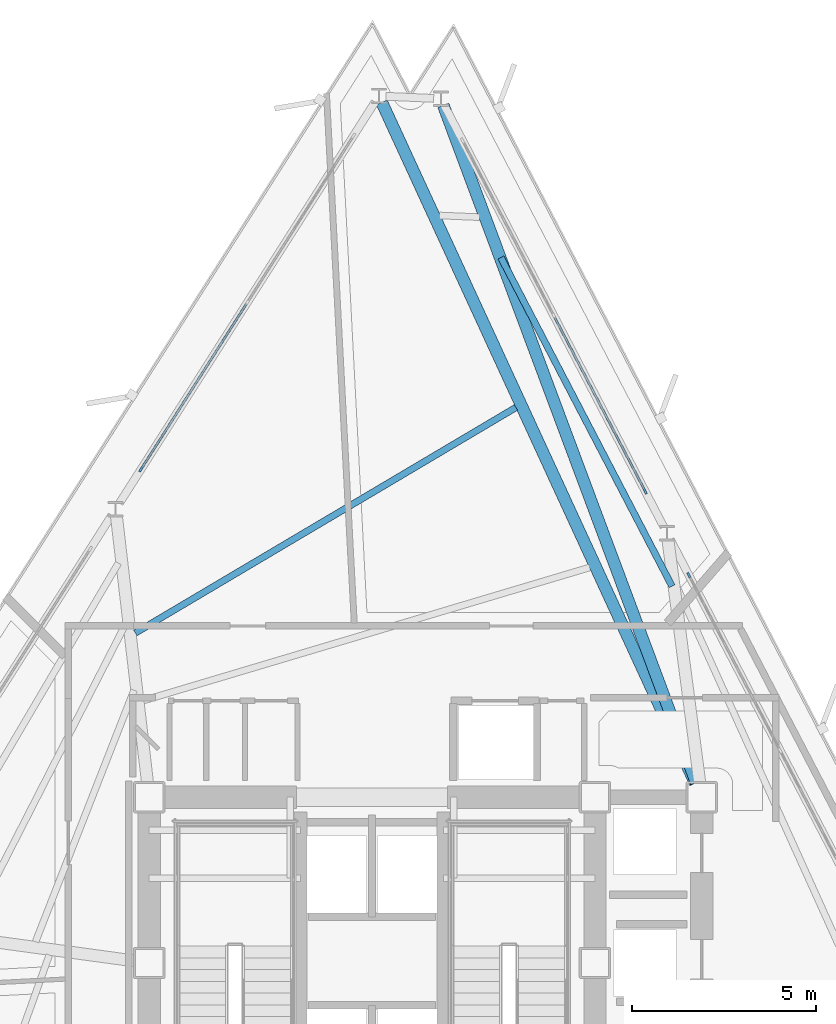
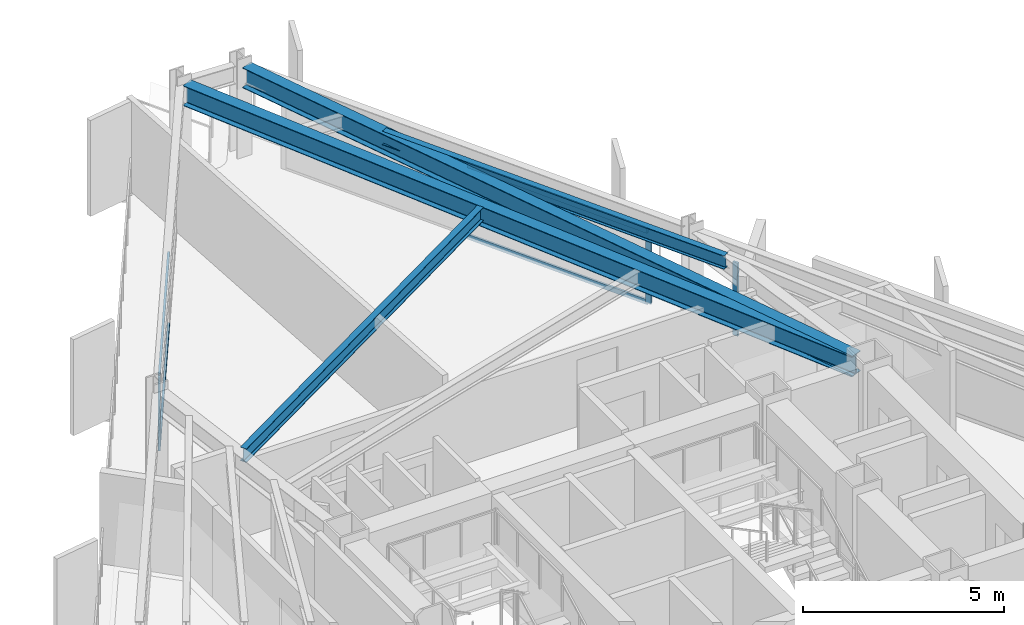
# One storey, part 4 of 12: 7 members, 4 beams, 3 elements without a shape of their own.
"""IFC4 building model written with IfcOpenShell, lengths in metres."""

from ifc_helpers import new_model, si_unit, direction, frame, origin, origin_2d, place, context, subcontext, project, spatial, rectangle, i_section, extrude, material, layer, layer_set, material_profile, profile_set, type_object, element, aggregate, save


model = new_model("IFC4")

# Units and contexts
model_context = context("Model", 3, precision=1e-05, world=origin(), true_north=direction((0.0, 1.0)))
body_context = subcontext(model_context, "Body", "Model", "MODEL_VIEW")
ifc_project = project(units=[si_unit("LENGTHUNIT", "METRE"), si_unit("AREAUNIT", "SQUARE_METRE"), si_unit("VOLUMEUNIT", "CUBIC_METRE"), si_unit("PLANEANGLEUNIT", "RADIAN"), si_unit("MASSUNIT", "GRAM", prefix="KILO")], contexts=[model_context])

# Site, building, storey
site_placement = place(None, origin())
site = spatial("IfcSite", under=ifc_project, at=site_placement, CompositionType="ELEMENT")
building_placement = place(site_placement, origin())
building = spatial("IfcBuilding", under=site, at=building_placement, Name="Rocaltana Carrier Exchange", CompositionType="ELEMENT")
storey_placement = place(building_placement, frame((0.0, 0.0, 128.9599609375)))
storey = spatial("IfcBuildingStorey", under=building, at=storey_placement, Name="L40", CompositionType="ELEMENT", Elevation=128.9599609375)

# Curtain wall, member
ifc_material_1 = material(Name="Aluminium 6063-T6", Category="aluminium")
ifc_layer = layer(ifc_material_1, 0.14990234375)
ifc_layer_set = layer_set([ifc_layer], Name="Aluminium 6063-T6")
curtain_wall_type = type_object("IfcCurtainWallType", Name="Mid-Tower Unitised Curtain Wall CW-03", PredefinedType="NOTDEFINED", material=ifc_layer_set)
curtain_wall_1_placement = place(storey_placement, origin())
curtain_wall_1 = element("IfcCurtainWall", 1, at=curtain_wall_1_placement, inside=storey, type_object=curtain_wall_type, Name="L40 CW-03 Run CW-L40-F1S2", PredefinedType="NOTDEFINED")
ifc_material_2 = material(Name="Aluminium 6063-T6", Category="aluminium")
ifc_material_profile_1 = material_profile(ifc_material_2, rectangle(XDim=0.06005859375, YDim=0.14990234375, at=origin_2d()), Name="AL-60X150")
ifc_profile_set_1 = profile_set([ifc_material_profile_1], Name="Aluminium 6063-T6")
member_type_1 = type_object("IfcMemberType", Name="CW-03 Mullion AL-60X150", PredefinedType="MULLION", material=ifc_profile_set_1)
member_1_placement = place(storey_placement, frame((8.60009765625, 10.531005859375, 0.0), z_axis=(0.0, 0.0, 1.0), x_axis=(-0.887011747812, -0.461746856235, 0.0)))
member_1 = element("IfcMember", 2, at=member_1_placement, type_object=member_type_1, Name="CW-03 mullion 3", PredefinedType="MULLION", context=body_context, shape_type="SweptSolid", body=[
    extrude(rectangle(XDim=0.06005859375, YDim=0.14990234375, at=origin_2d()), origin(), (0.0, 0.0, 1.0), 2.218017578125),
])
aggregate(curtain_wall_1, [member_1])

curtain_wall_2_placement = place(storey_placement, origin())
curtain_wall_2 = element("IfcCurtainWall", 3, at=curtain_wall_2_placement, inside=storey, type_object=curtain_wall_type, Name="L40 CW-03 Run CW-L40-F1S3", PredefinedType="NOTDEFINED")
member_2_placement = place(storey_placement, frame((7.41796875, 12.8017578125, 0.0), z_axis=(0.0, 0.0, 1.0), x_axis=(-0.887007955385, -0.461754141383, 0.0)))
member_2 = element("IfcMember", 4, at=member_2_placement, type_object=member_type_1, Name="CW-03 mullion 1", PredefinedType="MULLION", context=body_context, shape_type="SweptSolid", body=[
    extrude(rectangle(XDim=0.06005859375, YDim=0.14990234375, at=origin_2d()), origin(), (0.0, 0.0, 1.0), 2.218017578125),
])

curtain_wall_3_placement = place(storey_placement, origin())
curtain_wall_3 = element("IfcCurtainWall", 5, at=curtain_wall_3_placement, inside=storey, type_object=curtain_wall_type, Name="L40 CW-03 Run CW-L40-F2S1", PredefinedType="NOTDEFINED")
member_3_placement = place(storey_placement, frame((-6.27392578125, 13.3994140625, 0.0), z_axis=(0.0, 0.0, 1.0), x_axis=(0.843390685726, -0.537300801443, 0.0)))
member_3 = element("IfcMember", 6, at=member_3_placement, type_object=member_type_1, Name="CW-03 mullion 3", PredefinedType="MULLION", context=body_context, shape_type="SweptSolid", body=[
    extrude(rectangle(XDim=0.06005859375, YDim=0.14990234375, at=origin_2d()), origin(), (0.0, 0.0, 1.0), 2.218017578125),
])

# Member
ifc_material_3 = material(Name="Aluminium 6063-T6", Category="aluminium")
ifc_material_profile_2 = material_profile(ifc_material_3, rectangle(XDim=0.06005859375, YDim=0.14990234375, at=origin_2d()), Name="AL-60X150")
ifc_profile_set_2 = profile_set([ifc_material_profile_2], Name="Aluminium 6063-T6")
member_type_2 = type_object("IfcMemberType", Name="CW-03 Transom AL-60X150", PredefinedType="USERDEFINED", material=ifc_profile_set_2)
member_4_placement = place(storey_placement, frame((7.404052734375, 12.828369140625, 0.030029296875), z_axis=(-0.461756588365, 0.887006681543, 0.0), x_axis=(-0.887006681543, -0.461756588365, 0.0)))
member_4 = element("IfcMember", 7, at=member_4_placement, type_object=member_type_2, Name="CW-03 transom 1.1", ObjectType="TRANSOM", PredefinedType="USERDEFINED", context=body_context, shape_type="SweptSolid", body=[
    extrude(rectangle(XDim=0.06005859375, YDim=0.14990234375, at=origin_2d()), origin(), (0.0, 0.0, 1.0), 5.31005859375),
])

member_5_placement = place(storey_placement, frame((7.404052734375, 12.828369140625, 2.18798828125), z_axis=(-0.461756588365, 0.887006681543, 0.0), x_axis=(-0.887006681543, -0.461756588365, 0.0)))
member_5 = element("IfcMember", 8, at=member_5_placement, type_object=member_type_2, Name="CW-03 transom 1.2", ObjectType="TRANSOM", PredefinedType="USERDEFINED", context=body_context, shape_type="SweptSolid", body=[
    extrude(rectangle(XDim=0.06005859375, YDim=0.14990234375, at=origin_2d()), origin(), (0.0, 0.0, 1.0), 5.31005859375),
])

aggregate(curtain_wall_2, [member_2, member_4, member_5])

member_6_placement = place(storey_placement, frame((-3.40478515625, 17.903076171875, 0.030029296875), z_axis=(-0.537306810176, -0.843386857698, 0.0), x_axis=(0.843386857698, -0.537306810176, 0.0)))
member_6 = element("IfcMember", 9, at=member_6_placement, type_object=member_type_2, Name="CW-03 transom 2.1", ObjectType="TRANSOM", PredefinedType="USERDEFINED", context=body_context, shape_type="SweptSolid", body=[
    extrude(rectangle(XDim=0.06005859375, YDim=0.14990234375, at=origin_2d()), origin(), (0.0, 0.0, 1.0), 5.309814453125),
])

member_7_placement = place(storey_placement, frame((-3.40478515625, 17.903076171875, 2.18798828125), z_axis=(-0.537306810176, -0.843386857698, 0.0), x_axis=(0.843386857698, -0.537306810176, 0.0)))
member_7 = element("IfcMember", 10, at=member_7_placement, type_object=member_type_2, Name="CW-03 transom 2.2", ObjectType="TRANSOM", PredefinedType="USERDEFINED", context=body_context, shape_type="SweptSolid", body=[
    extrude(rectangle(XDim=0.06005859375, YDim=0.14990234375, at=origin_2d()), origin(), (0.0, 0.0, 1.0), 5.309814453125),
])

aggregate(curtain_wall_3, [member_3, member_6, member_7])

# Beams
ifc_material_4 = material(Name="Steel S355", Category="steel")
ifc_material_profile_3 = material_profile(ifc_material_4, i_section(OverallWidth=0.179931640625, OverallDepth=0.4130859375, WebThickness=0.009765625, FlangeThickness=0.01611328125, FilletRadius=0.012939453125, at=origin_2d()), Name="W16X50")
ifc_profile_set_3 = profile_set([ifc_material_profile_3], Name="Steel S355")
beam_type_1 = type_object("IfcBeamType", Name="Floor Joist W16X50", PredefinedType="JOIST", material=ifc_profile_set_3)
beam_1_placement = place(storey_placement, frame((8.14404296875, 10.22802734375, 2.58154296875), z_axis=(-0.461750708655, 0.887009742368, 0.0), x_axis=(-0.887009742368, -0.461750708655, 0.0)))
element("IfcBeam", 11, at=beam_1_placement, inside=storey, type_object=beam_type_1, Name="FJ-L40-03-3", PredefinedType="JOIST", context=body_context, shape_type="SweptSolid", body=[
    extrude(i_section(OverallWidth=0.179931640625, OverallDepth=0.4130859375, WebThickness=0.009765625, FlangeThickness=0.01611328125, FilletRadius=0.012939453125, at=origin_2d()), origin(), (0.0, 0.0, 1.0), 10.062255859375),
])
beam_2_placement = place(storey_placement, frame((3.906982421875, 15.081298828125, 2.58154296875), z_axis=(-0.86032256877, -0.509750014876, 0.0), x_axis=(0.509750014876, -0.86032256877, 0.0)))
element("IfcBeam", 12, at=beam_2_placement, inside=storey, type_object=beam_type_1, Name="FJ-L40-05-2", PredefinedType="JOIST", context=body_context, shape_type="SweptSolid", body=[
    extrude(i_section(OverallWidth=0.179931640625, OverallDepth=0.4130859375, WebThickness=0.009765625, FlangeThickness=0.01611328125, FilletRadius=0.012939453125, at=origin_2d()), origin(), (0.0, 0.0, 1.0), 12.010986328125),
])
ifc_material_5 = material(Name="Steel S355", Category="steel")
ifc_material_profile_4 = material_profile(ifc_material_5, i_section(OverallWidth=0.323974609375, OverallDepth=0.611083984375, WebThickness=0.0126953125, FlangeThickness=0.01904296875, FilletRadius=0.01611328125, at=origin_2d()), Name="W24X104")
ifc_profile_set_4 = profile_set([ifc_material_profile_4], Name="Steel S355")
beam_type_2 = type_object("IfcBeamType", Name="Radial Girder W24X104", PredefinedType="BEAM", material=ifc_profile_set_4)
beam_3_placement = place(storey_placement, frame((8.80419921875, 4.890625, 2.482421875), z_axis=(-0.349877431588, 0.936795486147, 0.0), x_axis=(-0.936795486147, -0.349877431588, 0.0)))
element("IfcBeam", 13, at=beam_3_placement, inside=storey, type_object=beam_type_2, Name="RG-L40-04", PredefinedType="BEAM", context=body_context, shape_type="SweptSolid", body=[
    extrude(i_section(OverallWidth=0.323974609375, OverallDepth=0.611083984375, WebThickness=0.0126953125, FlangeThickness=0.01904296875, FilletRadius=0.01611328125, at=origin_2d()), origin(), (0.0, 0.0, 1.0), 19.630859375),
])
beam_4_placement = place(storey_placement, frame((8.775634765625, 4.87890625, 2.482421875), z_axis=(-0.418241517275, 0.908335859265, 0.0), x_axis=(-0.908335859265, -0.418241517275, 0.0)))
element("IfcBeam", 14, at=beam_4_placement, inside=storey, type_object=beam_type_2, Name="RG-L40-05", PredefinedType="BEAM", context=body_context, shape_type="SweptSolid", body=[
    extrude(i_section(OverallWidth=0.323974609375, OverallDepth=0.611083984375, WebThickness=0.0126953125, FlangeThickness=0.01904296875, FilletRadius=0.01611328125, at=origin_2d()), origin(), (0.0, 0.0, 1.0), 20.345947265625),
])

save(model, "model.ifc")
